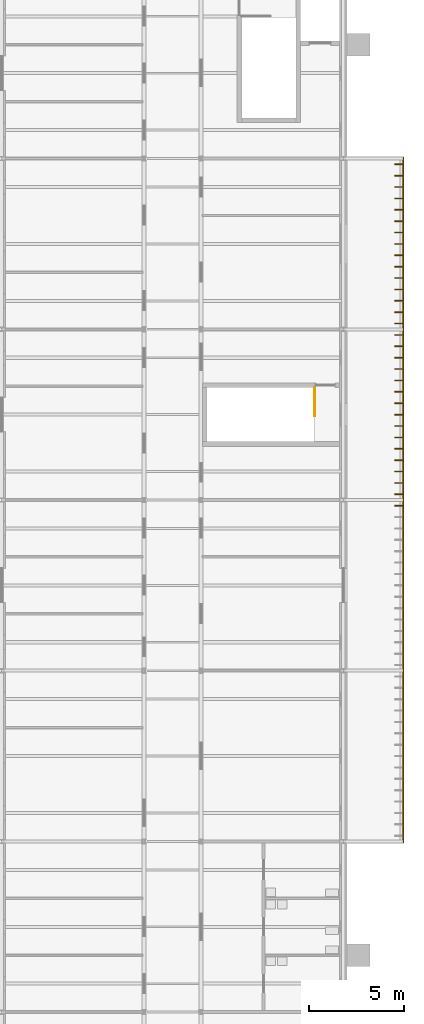
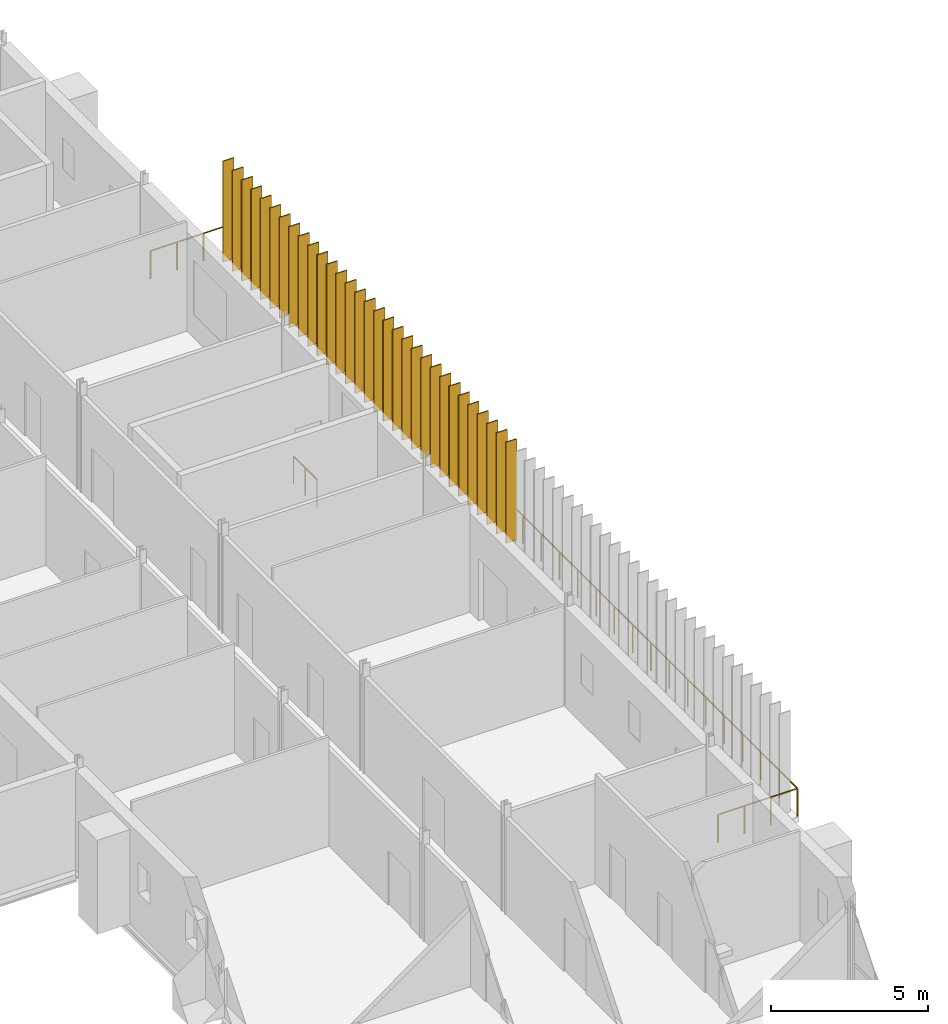
# One storey, part 127 of 131: 31 shading devices, 2 railings.
"""IFC4 building model written with IfcOpenShell, lengths in metres."""

from ifc_helpers import new_model, si_unit, direction, frame, origin, origin_2d, place, context, subcontext, project, spatial, rectangle, circle, extrude, material, layer, layer_set, type_object, element, save


model = new_model("IFC4")

# Units and contexts
model_context = context("Model", 3, precision=1e-05, world=origin(), true_north=direction((0.0, 1.0)))
body_context = subcontext(model_context, "Body", "Model", "MODEL_VIEW")
ifc_project = project(units=[si_unit("LENGTHUNIT", "METRE"), si_unit("AREAUNIT", "SQUARE_METRE"), si_unit("VOLUMEUNIT", "CUBIC_METRE"), si_unit("PLANEANGLEUNIT", "RADIAN"), si_unit("MASSUNIT", "GRAM", prefix="KILO")], contexts=[model_context])

# Site, building, storey
site_placement = place(None, origin())
site = spatial("IfcSite", under=ifc_project, at=site_placement, CompositionType="ELEMENT")
building_placement = place(site_placement, origin())
building = spatial("IfcBuilding", under=site, at=building_placement, Name="Golden Quay Civic Hall", CompositionType="ELEMENT")
storey_placement = place(building_placement, frame((0.0, 0.0, 9.89990234375)))
storey = spatial("IfcBuildingStorey", under=building, at=storey_placement, Name="L02", CompositionType="ELEMENT", Elevation=9.89990234375)

# Railing
ifc_material_1 = material(Name="Steel S355", Category="steel")
railing_type_1 = type_object("IfcRailingType", Name="Guard 1100 steel rail and posts", PredefinedType="GUARDRAIL", material=ifc_material_1)
railing_1_placement = place(storey_placement, frame((171.25, 8.949951171875, 0.0)))
element("IfcRailing", 1, at=railing_1_placement, inside=storey, type_object=railing_type_1, Name="Guard 1100 steel rail and posts L02 1", PredefinedType="GUARDRAIL", context=body_context, shape_type="SweptSolid", body=[
    extrude(circle(Radius=0.02490234375, at=origin_2d()), frame((0.0, 0.0, 1.0751953125), z_axis=(1.0, 0.0, 0.0), x_axis=(0.0, 1.0, 0.0)), (0.0, 0.0, 1.0), 2.919921875),
    extrude(circle(Radius=0.02490234375, at=origin_2d()), frame((2.919921875, 0.0, 1.0751953125), z_axis=(0.0, 1.0, 0.0), x_axis=(-1.0, 0.0, 0.0)), (0.0, 0.0, 1.0), 36.10009765625),
    extrude(circle(Radius=0.02490234375, at=origin_2d()), frame((2.919921875, 36.10009765625, 1.0751953125), z_axis=(-1.0, 0.0, 0.0), x_axis=(0.0, -1.0, 0.0)), (0.0, 0.0, 1.0), 2.919921875),
    extrude(circle(Radius=0.02490234375, at=origin_2d()), origin(), (0.0, 0.0, 1.0), 1.050048828125),
    extrude(circle(Radius=0.02490234375, at=origin_2d()), frame((0.973388671875, 0.0, 0.0)), (0.0, 0.0, 1.0), 1.050048828125),
    extrude(circle(Radius=0.02490234375, at=origin_2d()), frame((1.946533203125, 0.0, 0.0)), (0.0, 0.0, 1.0), 1.050048828125),
    extrude(circle(Radius=0.02490234375, at=origin_2d()), frame((2.919921875, 0.0, 0.0)), (0.0, 0.0, 1.0), 1.050048828125),
    extrude(circle(Radius=0.02490234375, at=origin_2d()), frame((2.919921875, 1.16455078125, 0.0)), (0.0, 0.0, 1.0), 1.050048828125),
    extrude(circle(Radius=0.02490234375, at=origin_2d()), frame((2.919921875, 2.3291015625, 0.0)), (0.0, 0.0, 1.0), 1.050048828125),
    extrude(circle(Radius=0.02490234375, at=origin_2d()), frame((2.919921875, 3.49365234375, 0.0)), (0.0, 0.0, 1.0), 1.050048828125),
    extrude(circle(Radius=0.02490234375, at=origin_2d()), frame((2.919921875, 4.657958984375, 0.0)), (0.0, 0.0, 1.0), 1.050048828125),
    extrude(circle(Radius=0.02490234375, at=origin_2d()), frame((2.919921875, 5.822509765625, 0.0)), (0.0, 0.0, 1.0), 1.050048828125),
    extrude(circle(Radius=0.02490234375, at=origin_2d()), frame((2.919921875, 6.987060546875, 0.0)), (0.0, 0.0, 1.0), 1.050048828125),
    extrude(circle(Radius=0.02490234375, at=origin_2d()), frame((2.919921875, 8.151611328125, 0.0)), (0.0, 0.0, 1.0), 1.050048828125),
    extrude(circle(Radius=0.02490234375, at=origin_2d()), frame((2.919921875, 9.316162109375, 0.0)), (0.0, 0.0, 1.0), 1.050048828125),
    extrude(circle(Radius=0.02490234375, at=origin_2d()), frame((2.919921875, 10.480712890625, 0.0)), (0.0, 0.0, 1.0), 1.050048828125),
    extrude(circle(Radius=0.02490234375, at=origin_2d()), frame((2.919921875, 11.645263671875, 0.0)), (0.0, 0.0, 1.0), 1.050048828125),
    extrude(circle(Radius=0.02490234375, at=origin_2d()), frame((2.919921875, 12.809814453125, 0.0)), (0.0, 0.0, 1.0), 1.050048828125),
    extrude(circle(Radius=0.02490234375, at=origin_2d()), frame((2.919921875, 13.97412109375, 0.0)), (0.0, 0.0, 1.0), 1.050048828125),
    extrude(circle(Radius=0.02490234375, at=origin_2d()), frame((2.919921875, 15.138671875, 0.0)), (0.0, 0.0, 1.0), 1.050048828125),
    extrude(circle(Radius=0.02490234375, at=origin_2d()), frame((2.919921875, 16.30322265625, 0.0)), (0.0, 0.0, 1.0), 1.050048828125),
    extrude(circle(Radius=0.02490234375, at=origin_2d()), frame((2.919921875, 17.4677734375, 0.0)), (0.0, 0.0, 1.0), 1.050048828125),
    extrude(circle(Radius=0.02490234375, at=origin_2d()), frame((2.919921875, 18.63232421875, 0.0)), (0.0, 0.0, 1.0), 1.050048828125),
    extrude(circle(Radius=0.02490234375, at=origin_2d()), frame((2.919921875, 19.796875, 0.0)), (0.0, 0.0, 1.0), 1.050048828125),
    extrude(circle(Radius=0.02490234375, at=origin_2d()), frame((2.919921875, 20.96142578125, 0.0)), (0.0, 0.0, 1.0), 1.050048828125),
    extrude(circle(Radius=0.02490234375, at=origin_2d()), frame((2.919921875, 22.1259765625, 0.0)), (0.0, 0.0, 1.0), 1.050048828125),
    extrude(circle(Radius=0.02490234375, at=origin_2d()), frame((2.919921875, 23.290283203125, 0.0)), (0.0, 0.0, 1.0), 1.050048828125),
    extrude(circle(Radius=0.02490234375, at=origin_2d()), frame((2.919921875, 24.454833984375, 0.0)), (0.0, 0.0, 1.0), 1.050048828125),
    extrude(circle(Radius=0.02490234375, at=origin_2d()), frame((2.919921875, 25.619384765625, 0.0)), (0.0, 0.0, 1.0), 1.050048828125),
    extrude(circle(Radius=0.02490234375, at=origin_2d()), frame((2.919921875, 26.783935546875, 0.0)), (0.0, 0.0, 1.0), 1.050048828125),
    extrude(circle(Radius=0.02490234375, at=origin_2d()), frame((2.919921875, 27.948486328125, 0.0)), (0.0, 0.0, 1.0), 1.050048828125),
    extrude(circle(Radius=0.02490234375, at=origin_2d()), frame((2.919921875, 29.113037109375, 0.0)), (0.0, 0.0, 1.0), 1.050048828125),
    extrude(circle(Radius=0.02490234375, at=origin_2d()), frame((2.919921875, 30.277587890625, 0.0)), (0.0, 0.0, 1.0), 1.050048828125),
    extrude(circle(Radius=0.02490234375, at=origin_2d()), frame((2.919921875, 31.442138671875, 0.0)), (0.0, 0.0, 1.0), 1.050048828125),
    extrude(circle(Radius=0.02490234375, at=origin_2d()), frame((2.919921875, 32.6064453125, 0.0)), (0.0, 0.0, 1.0), 1.050048828125),
    extrude(circle(Radius=0.02490234375, at=origin_2d()), frame((2.919921875, 33.77099609375, 0.0)), (0.0, 0.0, 1.0), 1.050048828125),
    extrude(circle(Radius=0.02490234375, at=origin_2d()), frame((2.919921875, 34.935546875, 0.0)), (0.0, 0.0, 1.0), 1.050048828125),
    extrude(circle(Radius=0.02490234375, at=origin_2d()), frame((2.919921875, 36.10009765625, 0.0)), (0.0, 0.0, 1.0), 1.050048828125),
    extrude(circle(Radius=0.02490234375, at=origin_2d()), frame((1.946533203125, 36.10009765625, 0.0)), (0.0, 0.0, 1.0), 1.050048828125),
    extrude(circle(Radius=0.02490234375, at=origin_2d()), frame((0.973388671875, 36.10009765625, 0.0)), (0.0, 0.0, 1.0), 1.050048828125),
    extrude(circle(Radius=0.02490234375, at=origin_2d()), frame((0.0, 36.10009765625, 0.0)), (0.0, 0.0, 1.0), 1.050048828125),
])

# Shading devices
ifc_material_2 = material(Name="Aluminium, anodised", Category="aluminium")
ifc_layer = layer(ifc_material_2, 0.0400390625)
ifc_layer_set = layer_set([ifc_layer], Name="Louvre fin 40 x 400")
shading_device_type = type_object("IfcShadingDeviceType", Name="Louvre fin 40 x 400", PredefinedType="JALOUSIE", material=ifc_layer_set)
for number, where, z_axis, x_axis, name in (
    (2, (173.89990234375, 26.699951171875, 0.000244140625), (0.0, 0.0, 1.0), (0.0, 1.0, 0.0), "Louvre fin 40 x 400 L02 30"),
    (3, (173.89990234375, 27.300048828125, 0.000244140625), (0.0, 0.0, 1.0), (0.0, 1.0, 0.0), "Louvre fin 40 x 400 L02 31"),
    (4, (173.89990234375, 27.89990234375, 0.000244140625), (0.0, 0.0, 1.0), (0.0, 1.0, 0.0), "Louvre fin 40 x 400 L02 32"),
    (5, (173.89990234375, 28.5, 0.000244140625), (0.0, 0.0, 1.0), (0.0, 1.0, 0.0), "Louvre fin 40 x 400 L02 33"),
    (6, (173.89990234375, 29.10009765625, 0.000244140625), (0.0, 0.0, 1.0), (0.0, 1.0, 0.0), "Louvre fin 40 x 400 L02 34"),
    (7, (173.89990234375, 29.699951171875, 0.000244140625), (0.0, 0.0, 1.0), (0.0, 1.0, 0.0), "Louvre fin 40 x 400 L02 35"),
    (8, (173.89990234375, 30.300048828125, 0.000244140625), (0.0, 0.0, 1.0), (0.0, 1.0, 0.0), "Louvre fin 40 x 400 L02 36"),
    (9, (173.89990234375, 30.89990234375, 0.000244140625), (0.0, 0.0, 1.0), (0.0, 1.0, 0.0), "Louvre fin 40 x 400 L02 37"),
    (10, (173.89990234375, 31.5, 0.000244140625), (0.0, 0.0, 1.0), (0.0, 1.0, 0.0), "Louvre fin 40 x 400 L02 38"),
    (11, (173.89990234375, 32.10009765625, 0.000244140625), (0.0, 0.0, 1.0), (0.0, 1.0, 0.0), "Louvre fin 40 x 400 L02 39"),
    (12, (173.89990234375, 32.699951171875, 0.000244140625), (0.0, 0.0, 1.0), (0.0, 1.0, 0.0), "Louvre fin 40 x 400 L02 40"),
    (13, (173.89990234375, 33.300048828125, 0.000244140625), (0.0, 0.0, 1.0), (0.0, 1.0, 0.0), "Louvre fin 40 x 400 L02 41"),
    (14, (173.89990234375, 33.89990234375, 0.000244140625), (0.0, 0.0, 1.0), (0.0, 1.0, 0.0), "Louvre fin 40 x 400 L02 42"),
    (15, (173.89990234375, 34.5, 0.000244140625), (0.0, 0.0, 1.0), (0.0, 1.0, 0.0), "Louvre fin 40 x 400 L02 43"),
    (16, (173.89990234375, 35.10009765625, 0.000244140625), (0.0, 0.0, 1.0), (0.0, 1.0, 0.0), "Louvre fin 40 x 400 L02 44"),
    (17, (173.89990234375, 35.699951171875, 0.000244140625), (0.0, 0.0, 1.0), (0.0, 1.0, 0.0), "Louvre fin 40 x 400 L02 45"),
    (18, (173.89990234375, 36.300048828125, 0.000244140625), (0.0, 0.0, 1.0), (0.0, 1.0, 0.0), "Louvre fin 40 x 400 L02 46"),
    (19, (173.89990234375, 36.89990234375, 0.000244140625), (0.0, 0.0, 1.0), (0.0, 1.0, 0.0), "Louvre fin 40 x 400 L02 47"),
    (20, (173.89990234375, 37.5, 0.000244140625), (0.0, 0.0, 1.0), (0.0, 1.0, 0.0), "Louvre fin 40 x 400 L02 48"),
    (21, (173.89990234375, 38.10009765625, 0.000244140625), (0.0, 0.0, 1.0), (0.0, 1.0, 0.0), "Louvre fin 40 x 400 L02 49"),
    (22, (173.89990234375, 38.699951171875, 0.000244140625), (0.0, 0.0, 1.0), (0.0, 1.0, 0.0), "Louvre fin 40 x 400 L02 50"),
    (23, (173.89990234375, 39.300048828125, 0.000244140625), (0.0, 0.0, 1.0), (0.0, 1.0, 0.0), "Louvre fin 40 x 400 L02 51"),
    (24, (173.89990234375, 39.89990234375, 0.000244140625), (0.0, 0.0, 1.0), (0.0, 1.0, 0.0), "Louvre fin 40 x 400 L02 52"),
    (25, (173.89990234375, 40.5, 0.000244140625), (0.0, 0.0, 1.0), (0.0, 1.0, 0.0), "Louvre fin 40 x 400 L02 53"),
    (26, (173.89990234375, 41.10009765625, 0.000244140625), (0.0, 0.0, 1.0), (0.0, 1.0, 0.0), "Louvre fin 40 x 400 L02 54"),
    (27, (173.89990234375, 41.699951171875, 0.000244140625), (0.0, 0.0, 1.0), (0.0, 1.0, 0.0), "Louvre fin 40 x 400 L02 55"),
    (28, (173.89990234375, 42.300048828125, 0.000244140625), (0.0, 0.0, 1.0), (0.0, 1.0, 0.0), "Louvre fin 40 x 400 L02 56"),
    (29, (173.89990234375, 42.89990234375, 0.000244140625), (0.0, 0.0, 1.0), (0.0, 1.0, 0.0), "Louvre fin 40 x 400 L02 57"),
    (30, (173.89990234375, 43.5, 0.000244140625), (0.0, 0.0, 1.0), (0.0, 1.0, 0.0), "Louvre fin 40 x 400 L02 58"),
    (31, (173.89990234375, 44.10009765625, 0.000244140625), (0.0, 0.0, 1.0), (0.0, 1.0, 0.0), "Louvre fin 40 x 400 L02 59"),
    (32, (173.89990234375, 44.699951171875, 0.000244140625), (0.0, 0.0, 1.0), (0.0, 1.0, 0.0), "Louvre fin 40 x 400 L02 60"),
):
    element("IfcShadingDevice", number, at=place(storey_placement, frame(where, z_axis=z_axis, x_axis=x_axis)), inside=storey, type_object=shading_device_type, Name=name, PredefinedType="JALOUSIE", context=body_context, shape_type="SweptSolid", body=[
        extrude(rectangle(XDim=0.0400390625, YDim=0.39990234375, at=origin_2d()), origin(), (0.0, 0.0, 1.0), 3.919921875),
    ])

# Railing
ifc_material_3 = material(Name="Steel S355", Category="steel")
railing_type_2 = type_object("IfcRailingType", Name="Steel guard 1100", PredefinedType="GUARDRAIL", material=ifc_material_3)
railing_2_placement = place(storey_placement, frame((169.5, 32.925048828125, 0.0)))
element("IfcRailing", 33, at=railing_2_placement, inside=storey, type_object=railing_type_2, Name="L02 EO-M top well guard 1", PredefinedType="GUARDRAIL", context=body_context, shape_type="SweptSolid", body=[
    extrude(circle(Radius=0.02392578125, at=origin_2d()), frame((0.0, 0.0, 1.076171875), z_axis=(0.0, -1.0, 0.0), x_axis=(1.0, 0.0, 0.0)), (0.0, 0.0, 1.0), 1.5),
    extrude(circle(Radius=0.02099609375, at=origin_2d()), origin(), (0.0, 0.0, 1.0), 1.052001953125),
    extrude(circle(Radius=0.02099609375, at=origin_2d()), frame((0.0, -0.75, 0.0)), (0.0, 0.0, 1.0), 1.052001953125),
    extrude(circle(Radius=0.02099609375, at=origin_2d()), frame((0.0, -1.5, 0.0)), (0.0, 0.0, 1.0), 1.052001953125),
])

save(model, "model.ifc")
